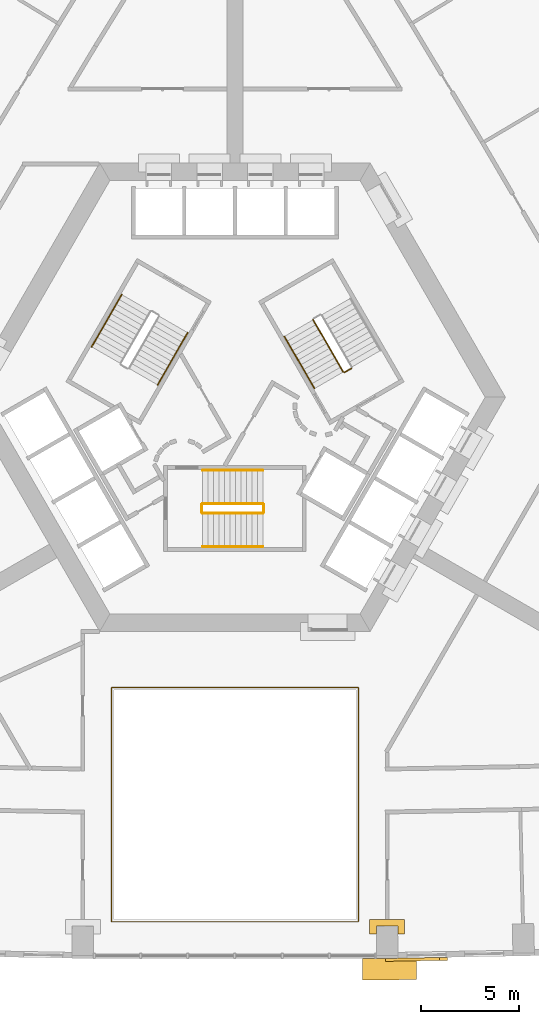
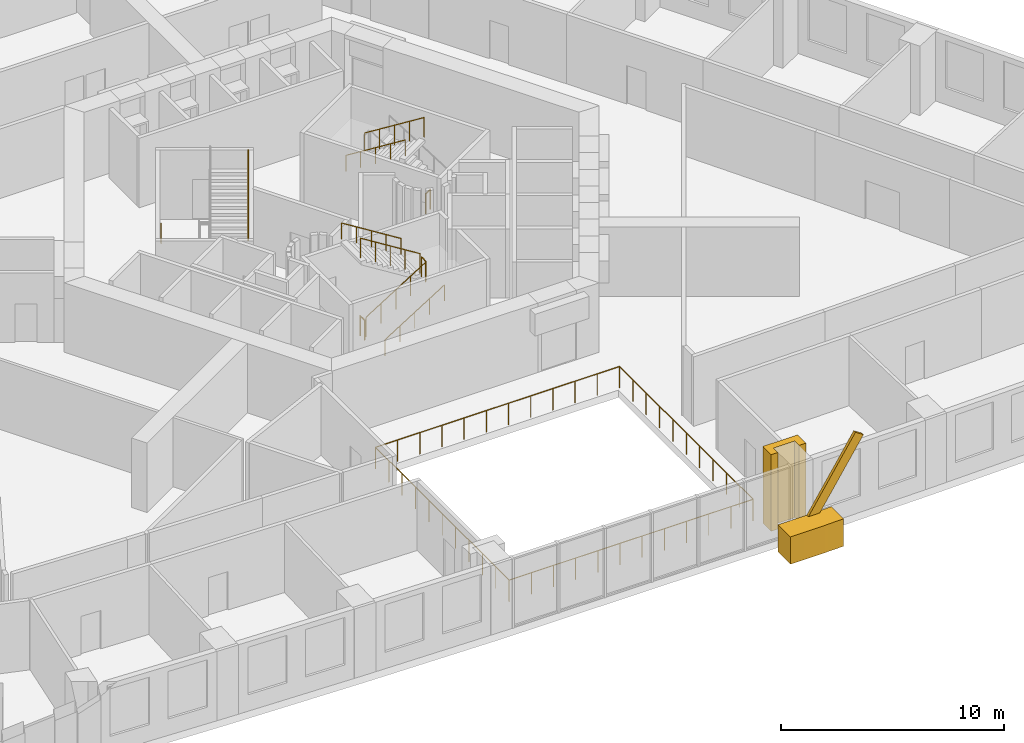
# One storey, part 14 of 16: 12 railings, 2 coverings, 1 shading device.
"""IFC4 building model written with IfcOpenShell, lengths in metres."""

from ifc_helpers import new_model, si_unit, direction, frame, origin, origin_2d, place, context, subcontext, project, spatial, polyline, rectangle, circle, outline, extrude, material, material_profile, profile_set, type_object, element, save


model = new_model("IFC4")

# Units and contexts
model_context = context("Model", 3, precision=1e-05, world=origin(), true_north=direction((0.0, 1.0)))
body_context = subcontext(model_context, "Body", "Model", "MODEL_VIEW")
ifc_project = project(units=[si_unit("LENGTHUNIT", "METRE"), si_unit("AREAUNIT", "SQUARE_METRE"), si_unit("VOLUMEUNIT", "CUBIC_METRE"), si_unit("PLANEANGLEUNIT", "RADIAN"), si_unit("MASSUNIT", "GRAM", prefix="KILO")], contexts=[model_context])

# Site, building, storey
site_placement = place(None, origin())
site = spatial("IfcSite", under=ifc_project, at=site_placement, CompositionType="ELEMENT")
building_placement = place(site_placement, origin())
building = spatial("IfcBuilding", under=site, at=building_placement, Name="Entoto Arch Interchange Tower", CompositionType="ELEMENT")
storey_placement = place(building_placement, frame((0.0, 0.0, 95.0)))
storey = spatial("IfcBuildingStorey", under=building, at=storey_placement, Name="L20", CompositionType="ELEMENT", Elevation=95.0)

# Railing
ifc_material_1 = material(Name="Stainless steel 1.4301", Category="steel")
railing_type_1 = type_object("IfcRailingType", Name="ATRIUM GUARD 1200 STEEL AND GLASS", PredefinedType="GUARDRAIL", material=ifc_material_1)
railing_1_placement = place(storey_placement, frame((6.320068359375, -24.37109375, 0.0)))
element("IfcRailing", 1, at=railing_1_placement, inside=storey, type_object=railing_type_1, Name="Atrium guard L20", PredefinedType="GUARDRAIL", context=body_context, shape_type="SweptSolid", body=[
    extrude(circle(Radius=0.02392578125, at=origin_2d()), frame((0.0, 0.0, 1.17578125), z_axis=(-1.0, 0.0, 0.0), x_axis=(0.0, -1.0, 0.0)), (0.0, 0.0, 1.0), 12.64013671875),
    extrude(circle(Radius=0.02392578125, at=origin_2d()), frame((-12.64013671875, 0.0, 1.17578125), z_axis=(0.0, 1.0, 0.0), x_axis=(-1.0, 0.0, 0.0)), (0.0, 0.0, 1.0), 11.9912109375),
    extrude(circle(Radius=0.02392578125, at=origin_2d()), frame((-12.64013671875, 11.9912109375, 1.17578125), z_axis=(1.0, 0.0, 0.0), x_axis=(0.0, 1.0, 0.0)), (0.0, 0.0, 1.0), 12.64013671875),
    extrude(circle(Radius=0.02392578125, at=origin_2d()), frame((0.0, 11.9912109375, 1.17578125), z_axis=(0.0, -1.0, 0.0), x_axis=(1.0, 0.0, 0.0)), (0.0, 0.0, 1.0), 11.9912109375),
    extrude(circle(Radius=0.02099609375, at=origin_2d()), origin(), (0.0, 0.0, 1.0), 1.15185546875),
    extrude(circle(Radius=0.02099609375, at=origin_2d()), frame((-1.149169921875, 0.0, 0.0)), (0.0, 0.0, 1.0), 1.15185546875),
    extrude(circle(Radius=0.02099609375, at=origin_2d()), frame((-2.298095703125, 0.0, 0.0)), (0.0, 0.0, 1.0), 1.15185546875),
    extrude(circle(Radius=0.02099609375, at=origin_2d()), frame((-3.447265625, 0.0, 0.0)), (0.0, 0.0, 1.0), 1.15185546875),
    extrude(circle(Radius=0.02099609375, at=origin_2d()), frame((-4.596435546875, 0.0, 0.0)), (0.0, 0.0, 1.0), 1.15185546875),
    extrude(circle(Radius=0.02099609375, at=origin_2d()), frame((-5.74560546875, 0.0, 0.0)), (0.0, 0.0, 1.0), 1.15185546875),
    extrude(circle(Radius=0.02099609375, at=origin_2d()), frame((-6.89453125, 0.0, 0.0)), (0.0, 0.0, 1.0), 1.15185546875),
    extrude(circle(Radius=0.02099609375, at=origin_2d()), frame((-8.043701171875, 0.0, 0.0)), (0.0, 0.0, 1.0), 1.15185546875),
    extrude(circle(Radius=0.02099609375, at=origin_2d()), frame((-9.19287109375, 0.0, 0.0)), (0.0, 0.0, 1.0), 1.15185546875),
    extrude(circle(Radius=0.02099609375, at=origin_2d()), frame((-10.342041015625, 0.0, 0.0)), (0.0, 0.0, 1.0), 1.15185546875),
    extrude(circle(Radius=0.02099609375, at=origin_2d()), frame((-11.490966796875, 0.0, 0.0)), (0.0, 0.0, 1.0), 1.15185546875),
    extrude(circle(Radius=0.02099609375, at=origin_2d()), frame((-12.64013671875, 0.0, 0.0)), (0.0, 0.0, 1.0), 1.15185546875),
    extrude(circle(Radius=0.02099609375, at=origin_2d()), frame((-12.64013671875, 1.19921875, 0.0)), (0.0, 0.0, 1.0), 1.15185546875),
    extrude(circle(Radius=0.02099609375, at=origin_2d()), frame((-12.64013671875, 2.398193359375, 0.0)), (0.0, 0.0, 1.0), 1.15185546875),
    extrude(circle(Radius=0.02099609375, at=origin_2d()), frame((-12.64013671875, 3.597412109375, 0.0)), (0.0, 0.0, 1.0), 1.15185546875),
    extrude(circle(Radius=0.02099609375, at=origin_2d()), frame((-12.64013671875, 4.79638671875, 0.0)), (0.0, 0.0, 1.0), 1.15185546875),
    extrude(circle(Radius=0.02099609375, at=origin_2d()), frame((-12.64013671875, 5.99560546875, 0.0)), (0.0, 0.0, 1.0), 1.15185546875),
    extrude(circle(Radius=0.02099609375, at=origin_2d()), frame((-12.64013671875, 7.19482421875, 0.0)), (0.0, 0.0, 1.0), 1.15185546875),
    extrude(circle(Radius=0.02099609375, at=origin_2d()), frame((-12.64013671875, 8.393798828125, 0.0)), (0.0, 0.0, 1.0), 1.15185546875),
    extrude(circle(Radius=0.02099609375, at=origin_2d()), frame((-12.64013671875, 9.593017578125, 0.0)), (0.0, 0.0, 1.0), 1.15185546875),
    extrude(circle(Radius=0.02099609375, at=origin_2d()), frame((-12.64013671875, 10.7919921875, 0.0)), (0.0, 0.0, 1.0), 1.15185546875),
    extrude(circle(Radius=0.02099609375, at=origin_2d()), frame((-12.64013671875, 11.9912109375, 0.0)), (0.0, 0.0, 1.0), 1.15185546875),
    extrude(circle(Radius=0.02099609375, at=origin_2d()), frame((-11.490966796875, 11.9912109375, 0.0)), (0.0, 0.0, 1.0), 1.15185546875),
    extrude(circle(Radius=0.02099609375, at=origin_2d()), frame((-10.342041015625, 11.9912109375, 0.0)), (0.0, 0.0, 1.0), 1.15185546875),
    extrude(circle(Radius=0.02099609375, at=origin_2d()), frame((-9.19287109375, 11.9912109375, 0.0)), (0.0, 0.0, 1.0), 1.15185546875),
    extrude(circle(Radius=0.02099609375, at=origin_2d()), frame((-8.043701171875, 11.9912109375, 0.0)), (0.0, 0.0, 1.0), 1.15185546875),
    extrude(circle(Radius=0.02099609375, at=origin_2d()), frame((-6.89453125, 11.9912109375, 0.0)), (0.0, 0.0, 1.0), 1.15185546875),
    extrude(circle(Radius=0.02099609375, at=origin_2d()), frame((-5.74560546875, 11.9912109375, 0.0)), (0.0, 0.0, 1.0), 1.15185546875),
    extrude(circle(Radius=0.02099609375, at=origin_2d()), frame((-4.596435546875, 11.9912109375, 0.0)), (0.0, 0.0, 1.0), 1.15185546875),
    extrude(circle(Radius=0.02099609375, at=origin_2d()), frame((-3.447265625, 11.9912109375, 0.0)), (0.0, 0.0, 1.0), 1.15185546875),
    extrude(circle(Radius=0.02099609375, at=origin_2d()), frame((-2.298095703125, 11.9912109375, 0.0)), (0.0, 0.0, 1.0), 1.15185546875),
    extrude(circle(Radius=0.02099609375, at=origin_2d()), frame((-1.149169921875, 11.9912109375, 0.0)), (0.0, 0.0, 1.0), 1.15185546875),
    extrude(circle(Radius=0.02099609375, at=origin_2d()), frame((0.0, 11.9912109375, 0.0)), (0.0, 0.0, 1.0), 1.15185546875),
    extrude(circle(Radius=0.02099609375, at=origin_2d()), frame((0.0, 10.7919921875, 0.0)), (0.0, 0.0, 1.0), 1.15185546875),
    extrude(circle(Radius=0.02099609375, at=origin_2d()), frame((0.0, 9.593017578125, 0.0)), (0.0, 0.0, 1.0), 1.15185546875),
    extrude(circle(Radius=0.02099609375, at=origin_2d()), frame((0.0, 8.393798828125, 0.0)), (0.0, 0.0, 1.0), 1.15185546875),
    extrude(circle(Radius=0.02099609375, at=origin_2d()), frame((0.0, 7.19482421875, 0.0)), (0.0, 0.0, 1.0), 1.15185546875),
    extrude(circle(Radius=0.02099609375, at=origin_2d()), frame((0.0, 5.99560546875, 0.0)), (0.0, 0.0, 1.0), 1.15185546875),
    extrude(circle(Radius=0.02099609375, at=origin_2d()), frame((0.0, 4.79638671875, 0.0)), (0.0, 0.0, 1.0), 1.15185546875),
    extrude(circle(Radius=0.02099609375, at=origin_2d()), frame((0.0, 3.597412109375, 0.0)), (0.0, 0.0, 1.0), 1.15185546875),
    extrude(circle(Radius=0.02099609375, at=origin_2d()), frame((0.0, 2.398193359375, 0.0)), (0.0, 0.0, 1.0), 1.15185546875),
    extrude(circle(Radius=0.02099609375, at=origin_2d()), frame((0.0, 1.19921875, 0.0)), (0.0, 0.0, 1.0), 1.15185546875),
])

# Shading device
ifc_material_2 = material(Name="Board-marked precast concrete C50/60", Category="concrete")
ifc_material_profile = material_profile(ifc_material_2, rectangle(XDim=0.14990234375, YDim=0.5, at=origin_2d()))
ifc_profile_set = profile_set([ifc_material_profile], Name="Board-marked precast concrete C50/60")
shading_device_type = type_object("IfcShadingDeviceType", Name="FOLD BAND PRECAST 150x500", PredefinedType="USERDEFINED", material=ifc_profile_set)
shading_device_placement = place(storey_placement, frame((7.916015625, -26.323974609375, 0.25), z_axis=(0.550544129116, 0.010141346993, 0.834744460884), x_axis=(-0.018417464329, 0.999830384119, 0.0)))
element("IfcShadingDevice", 2, at=shading_device_placement, inside=storey, type_object=shading_device_type, Name="Fold band L20", ObjectType="FOLD BAND", PredefinedType="USERDEFINED", context=body_context, shape_type="SweptSolid", body=[
    extrude(rectangle(XDim=0.14990234375, YDim=0.5, at=origin_2d()), origin(), (0.0, 0.0, 1.0), 5.031494140625),
])

# Coverings
covering_type = type_object("IfcCoveringType", Name="PRECAST FRAME COURSE", PredefinedType="CLADDING", material=ifc_material_2)
covering_1_placement = place(storey_placement, frame((0.0, 0.0, -0.39990234375)))
element("IfcCovering", 3, at=covering_1_placement, inside=storey, type_object=covering_type, Name="Gate pier L20", PredefinedType="CLADDING", context=body_context, shape_type="SweptSolid", body=[
    extrude(outline(polyline([(6.89208984375, -24.2509765625), (8.69189453125, -24.2509765625), (8.69189453125, -24.9990234375), (8.342041015625, -24.9990234375), (8.342041015625, -24.60107421875), (7.241943359375, -24.60107421875), (7.241943359375, -24.9990234375), (6.89208984375, -24.9990234375), (6.89208984375, -24.2509765625)])), origin(), (0.0, 0.0, 1.0), 4.199951171875),
])
covering_2_placement = place(storey_placement, frame((0.0, 0.0, -0.64990234375)))
element("IfcCovering", 4, at=covering_2_placement, inside=storey, type_object=covering_type, Name="Fold crease ribbon L20", PredefinedType="CLADDING", context=body_context, shape_type="SweptSolid", body=[
    extrude(outline(polyline([(8.472900390625, -27.339111328125), (8.468017578125, -27.340087890625), (8.360107421875, -27.345947265625), (7.260009765625, -27.35595703125), (7.25, -27.35595703125), (6.530029296875, -27.35595703125), (6.530029296875, -26.2509765625), (7.25, -26.2509765625), (7.25, -26.256103515625), (7.800048828125, -26.2509765625), (8.35009765625, -26.24609375), (8.35009765625, -26.240966796875), (9.300048828125, -26.222900390625), (9.300048828125, -27.323974609375), (8.472900390625, -27.339111328125)])), origin(), (0.0, 0.0, 1.0), 1.5),
])

# Railings
railing_type_2 = type_object("IfcRailingType", Name="STAIR GUARD 1100 STEEL", PredefinedType="GUARDRAIL", material=ifc_material_1)
railing_2_placement = place(storey_placement, frame((-1.64990234375, -3.449951171875, 0.175048828125)))
element("IfcRailing", 5, at=railing_2_placement, inside=storey, type_object=railing_type_2, Name="L20 ST-S stair guard 1", PredefinedType="GUARDRAIL", context=body_context, shape_type="SweptSolid", body=[
    extrude(circle(Radius=0.02392578125, at=origin_2d()), frame((0.0, 0.0, 1.076171875), z_axis=(0.847979421464, 0.0, 0.530029150871), x_axis=(0.0, 1.0, 0.0)), (0.0, 0.0, 1.0), 3.632080078125),
    extrude(circle(Radius=0.02099609375, at=origin_2d()), origin(), (0.0, 0.0, 1.0), 1.052001953125),
    extrude(circle(Radius=0.02099609375, at=origin_2d()), frame((0.77001953125, 0.0, 0.481201171875)), (0.0, 0.0, 1.0), 1.052001953125),
    extrude(circle(Radius=0.02099609375, at=origin_2d()), frame((1.5400390625, 0.0, 0.96240234375)), (0.0, 0.0, 1.0), 1.052001953125),
    extrude(circle(Radius=0.02099609375, at=origin_2d()), frame((2.309814453125, 0.0, 1.44384765625)), (0.0, 0.0, 1.0), 1.052001953125),
    extrude(circle(Radius=0.02099609375, at=origin_2d()), frame((3.079833984375, 0.0, 1.925048828125)), (0.0, 0.0, 1.0), 1.052001953125),
])
railing_3_placement = place(storey_placement, frame((1.47998046875, -3.39990234375, 2.10009765625)))
element("IfcRailing", 6, at=railing_3_placement, inside=storey, type_object=railing_type_2, Name="L20 ST-S stair guard 2", PredefinedType="GUARDRAIL", context=body_context, shape_type="SweptSolid", body=[
    extrude(circle(Radius=0.02392578125, at=origin_2d()), frame((0.0, 0.0, 1.076171875), z_axis=(0.0, 1.0, 0.0), x_axis=(-1.0, 0.0, 0.0)), (0.0, 0.0, 1.0), 0.39990234375),
    extrude(circle(Radius=0.02099609375, at=origin_2d()), origin(), (0.0, 0.0, 1.0), 1.052001953125),
    extrude(circle(Radius=0.02099609375, at=origin_2d()), frame((0.0, 0.39990234375, 0.0)), (0.0, 0.0, 1.0), 1.052001953125),
])
railing_4_placement = place(storey_placement, frame((1.429931640625, -2.949951171875, 2.27490234375)))
element("IfcRailing", 7, at=railing_4_placement, inside=storey, type_object=railing_type_2, Name="L20 ST-S stair guard 3", PredefinedType="GUARDRAIL", context=body_context, shape_type="SweptSolid", body=[
    extrude(circle(Radius=0.02392578125, at=origin_2d()), frame((0.0, 0.0, 1.076171875), z_axis=(-0.847979421464, 0.0, 0.530029150871), x_axis=(0.0, -1.0, 0.0)), (0.0, 0.0, 1.0), 3.632080078125),
    extrude(circle(Radius=0.02099609375, at=origin_2d()), origin(), (0.0, 0.0, 1.0), 1.052001953125),
    extrude(circle(Radius=0.02099609375, at=origin_2d()), frame((-0.77001953125, 0.0, 0.481201171875)), (0.0, 0.0, 1.0), 1.052001953125),
    extrude(circle(Radius=0.02099609375, at=origin_2d()), frame((-1.5400390625, 0.0, 0.96240234375)), (0.0, 0.0, 1.0), 1.052001953125),
    extrude(circle(Radius=0.02099609375, at=origin_2d()), frame((-2.309814453125, 0.0, 1.44384765625)), (0.0, 0.0, 1.0), 1.052001953125),
    extrude(circle(Radius=0.02099609375, at=origin_2d()), frame((-3.079833984375, 0.0, 1.925048828125)), (0.0, 0.0, 1.0), 1.052001953125),
])
railing_5_placement = place(storey_placement, frame((-1.699951171875, -3.39990234375, 0.0)))
element("IfcRailing", 8, at=railing_5_placement, inside=storey, type_object=railing_type_2, Name="L20 ST-S stair guard 4", PredefinedType="GUARDRAIL", context=body_context, shape_type="SweptSolid", body=[
    extrude(circle(Radius=0.02392578125, at=origin_2d()), frame((0.0, 0.0, 1.076171875), z_axis=(0.0, 1.0, 0.0), x_axis=(-1.0, 0.0, 0.0)), (0.0, 0.0, 1.0), 0.39990234375),
    extrude(circle(Radius=0.02099609375, at=origin_2d()), origin(), (0.0, 0.0, 1.0), 1.052001953125),
    extrude(circle(Radius=0.02099609375, at=origin_2d()), frame((0.0, 0.39990234375, 0.0)), (0.0, 0.0, 1.0), 1.052001953125),
])
railing_6_placement = place(storey_placement, frame((4.0048828125, 6.46337890625, 2.27490234375)))
element("IfcRailing", 9, at=railing_6_placement, inside=storey, type_object=railing_type_2, Name="L20 ST-NE stair guard 3", PredefinedType="GUARDRAIL", context=body_context, shape_type="SweptSolid", body=[
    extrude(circle(Radius=0.02392578125, at=origin_2d()), frame((0.0, 0.0, 1.076171875), z_axis=(0.424015404183, -0.734364028329, 0.530019255228), x_axis=(0.866010015463, 0.500026652407, 0.0)), (0.0, 0.0, 1.0), 3.632080078125),
    extrude(circle(Radius=0.02099609375, at=origin_2d()), origin(), (0.0, 0.0, 1.0), 1.052001953125),
    extrude(circle(Radius=0.02099609375, at=origin_2d()), frame((0.385009765625, -0.666748046875, 0.481201171875)), (0.0, 0.0, 1.0), 1.052001953125),
    extrude(circle(Radius=0.02099609375, at=origin_2d()), frame((0.77001953125, -1.33349609375, 0.96240234375)), (0.0, 0.0, 1.0), 1.052001953125),
    extrude(circle(Radius=0.02099609375, at=origin_2d()), frame((1.155029296875, -2.00048828125, 1.44384765625)), (0.0, 0.0, 1.0), 1.052001953125),
    extrude(circle(Radius=0.02099609375, at=origin_2d()), frame((1.5400390625, -2.667236328125, 1.925048828125)), (0.0, 0.0, 1.0), 1.052001953125),
])
railing_7_placement = place(storey_placement, frame((5.95947265625, 3.977783203125, 0.0)))
element("IfcRailing", 10, at=railing_7_placement, inside=storey, type_object=railing_type_2, Name="L20 ST-NE stair guard 4", PredefinedType="GUARDRAIL", context=body_context, shape_type="SweptSolid", body=[
    extrude(circle(Radius=0.02392578125, at=origin_2d()), frame((0.0, 0.0, 1.076171875), z_axis=(-0.866094119867, -0.499880961361, 0.0), x_axis=(0.499880961361, -0.866094119867, 0.0)), (0.0, 0.0, 1.0), 0.39990234375),
    extrude(circle(Radius=0.02099609375, at=origin_2d()), origin(), (0.0, 0.0, 1.0), 1.052001953125),
    extrude(circle(Radius=0.02099609375, at=origin_2d()), frame((-0.346435546875, -0.199951171875, 0.0)), (0.0, 0.0, 1.0), 1.052001953125),
])
railing_type_3 = type_object("IfcRailingType", Name="STAIR HANDRAIL 900 STEEL", PredefinedType="HANDRAIL", material=ifc_material_1)
railing_8_placement = place(storey_placement, frame((-1.64990234375, -5.14990234375, 0.175048828125)))
element("IfcRailing", 11, at=railing_8_placement, inside=storey, type_object=railing_type_3, Name="L20 ST-S stair handrail 1", PredefinedType="HANDRAIL", context=body_context, shape_type="SweptSolid", body=[
    extrude(circle(Radius=0.02392578125, at=origin_2d()), frame((0.0, 0.0, 0.8759765625), z_axis=(0.847979421464, 0.0, 0.530029150871), x_axis=(0.0, 1.0, 0.0)), (0.0, 0.0, 1.0), 3.632080078125),
    extrude(circle(Radius=0.02099609375, at=origin_2d()), origin(), (0.0, 0.0, 1.0), 0.851806640625),
    extrude(circle(Radius=0.02099609375, at=origin_2d()), frame((0.77001953125, 0.0, 0.481201171875)), (0.0, 0.0, 1.0), 0.851806640625),
    extrude(circle(Radius=0.02099609375, at=origin_2d()), frame((1.5400390625, 0.0, 0.96240234375)), (0.0, 0.0, 1.0), 0.851806640625),
    extrude(circle(Radius=0.02099609375, at=origin_2d()), frame((2.309814453125, 0.0, 1.44384765625)), (0.0, 0.0, 1.0), 0.851806640625),
    extrude(circle(Radius=0.02099609375, at=origin_2d()), frame((3.079833984375, 0.0, 1.925048828125)), (0.0, 0.0, 1.0), 0.851806640625),
])
railing_9_placement = place(storey_placement, frame((1.429931640625, -1.25, 2.27490234375)))
element("IfcRailing", 12, at=railing_9_placement, inside=storey, type_object=railing_type_3, Name="L20 ST-S stair handrail 2", PredefinedType="HANDRAIL", context=body_context, shape_type="SweptSolid", body=[
    extrude(circle(Radius=0.02392578125, at=origin_2d()), frame((0.0, 0.0, 0.8759765625), z_axis=(-0.847979421464, 0.0, 0.530029150871), x_axis=(0.0, -1.0, 0.0)), (0.0, 0.0, 1.0), 3.632080078125),
    extrude(circle(Radius=0.02099609375, at=origin_2d()), origin(), (0.0, 0.0, 1.0), 0.851806640625),
    extrude(circle(Radius=0.02099609375, at=origin_2d()), frame((-0.77001953125, 0.0, 0.481201171875)), (0.0, 0.0, 1.0), 0.851806640625),
    extrude(circle(Radius=0.02099609375, at=origin_2d()), frame((-1.5400390625, 0.0, 0.96240234375)), (0.0, 0.0, 1.0), 0.851806640625),
    extrude(circle(Radius=0.02099609375, at=origin_2d()), frame((-2.309814453125, 0.0, 1.44384765625)), (0.0, 0.0, 1.0), 0.851806640625),
    extrude(circle(Radius=0.02099609375, at=origin_2d()), frame((-3.079833984375, 0.0, 1.925048828125)), (0.0, 0.0, 1.0), 0.851806640625),
])
railing_10_placement = place(storey_placement, frame((2.53271484375, 5.613525390625, 2.27490234375)))
element("IfcRailing", 13, at=railing_10_placement, inside=storey, type_object=railing_type_3, Name="L20 ST-NE stair handrail 2", PredefinedType="HANDRAIL", context=body_context, shape_type="SweptSolid", body=[
    extrude(circle(Radius=0.02392578125, at=origin_2d()), frame((0.0, 0.0, 0.8759765625), z_axis=(0.423939339791, -0.734415923031, 0.53000819633), x_axis=(0.866064153644, 0.499932877268, 0.0)), (0.0, 0.0, 1.0), 3.632080078125),
    extrude(circle(Radius=0.02099609375, at=origin_2d()), origin(), (0.0, 0.0, 1.0), 0.851806640625),
    extrude(circle(Radius=0.02099609375, at=origin_2d()), frame((0.385009765625, -0.6669921875, 0.481201171875)), (0.0, 0.0, 1.0), 0.851806640625),
    extrude(circle(Radius=0.02099609375, at=origin_2d()), frame((0.77001953125, -1.333740234375, 0.96240234375)), (0.0, 0.0, 1.0), 0.851806640625),
    extrude(circle(Radius=0.02099609375, at=origin_2d()), frame((1.15478515625, -2.00048828125, 1.44384765625)), (0.0, 0.0, 1.0), 0.851806640625),
    extrude(circle(Radius=0.02099609375, at=origin_2d()), frame((1.539794921875, -2.66748046875, 1.925048828125)), (0.0, 0.0, 1.0), 0.851806640625),
])
railing_11_placement = place(storey_placement, frame((-5.800048828125, 7.75390625, 0.175048828125)))
element("IfcRailing", 14, at=railing_11_placement, inside=storey, type_object=railing_type_3, Name="L20 ST-NW stair handrail 1", PredefinedType="HANDRAIL", context=body_context, shape_type="SweptSolid", body=[
    extrude(circle(Radius=0.02392578125, at=origin_2d()), frame((0.0, 0.0, 0.8759765625), z_axis=(-0.424015404183, -0.734364028329, 0.530019255228), x_axis=(0.866010015463, -0.500026652407, 0.0)), (0.0, 0.0, 1.0), 3.632080078125),
    extrude(circle(Radius=0.02099609375, at=origin_2d()), origin(), (0.0, 0.0, 1.0), 0.851806640625),
    extrude(circle(Radius=0.02099609375, at=origin_2d()), frame((-0.385009765625, -0.666748046875, 0.481201171875)), (0.0, 0.0, 1.0), 0.851806640625),
    extrude(circle(Radius=0.02099609375, at=origin_2d()), frame((-0.77001953125, -1.33349609375, 0.96240234375)), (0.0, 0.0, 1.0), 0.851806640625),
    extrude(circle(Radius=0.02099609375, at=origin_2d()), frame((-1.155029296875, -2.00048828125, 1.44384765625)), (0.0, 0.0, 1.0), 0.851806640625),
    extrude(circle(Radius=0.02099609375, at=origin_2d()), frame((-1.5400390625, -2.667236328125, 1.925048828125)), (0.0, 0.0, 1.0), 0.851806640625),
])
railing_12_placement = place(storey_placement, frame((-3.962646484375, 3.136474609375, 2.27490234375)))
element("IfcRailing", 15, at=railing_12_placement, inside=storey, type_object=railing_type_3, Name="L20 ST-NW stair handrail 2", PredefinedType="HANDRAIL", context=body_context, shape_type="SweptSolid", body=[
    extrude(circle(Radius=0.02392578125, at=origin_2d()), frame((0.0, 0.0, 0.8759765625), z_axis=(0.423994474112, 0.734394994316, 0.52999309264), x_axis=(-0.866029832698, 0.499992328818, 0.0)), (0.0, 0.0, 1.0), 3.63232421875),
    extrude(circle(Radius=0.02099609375, at=origin_2d()), origin(), (0.0, 0.0, 1.0), 0.851806640625),
    extrude(circle(Radius=0.02099609375, at=origin_2d()), frame((0.385009765625, 0.6669921875, 0.481201171875)), (0.0, 0.0, 1.0), 0.851806640625),
    extrude(circle(Radius=0.02099609375, at=origin_2d()), frame((0.77001953125, 1.333740234375, 0.96240234375)), (0.0, 0.0, 1.0), 0.851806640625),
    extrude(circle(Radius=0.02099609375, at=origin_2d()), frame((1.155029296875, 2.00048828125, 1.44384765625)), (0.0, 0.0, 1.0), 0.851806640625),
    extrude(circle(Radius=0.02099609375, at=origin_2d()), frame((1.5400390625, 2.66748046875, 1.925048828125)), (0.0, 0.0, 1.0), 0.851806640625),
])

save(model, "model.ifc")
